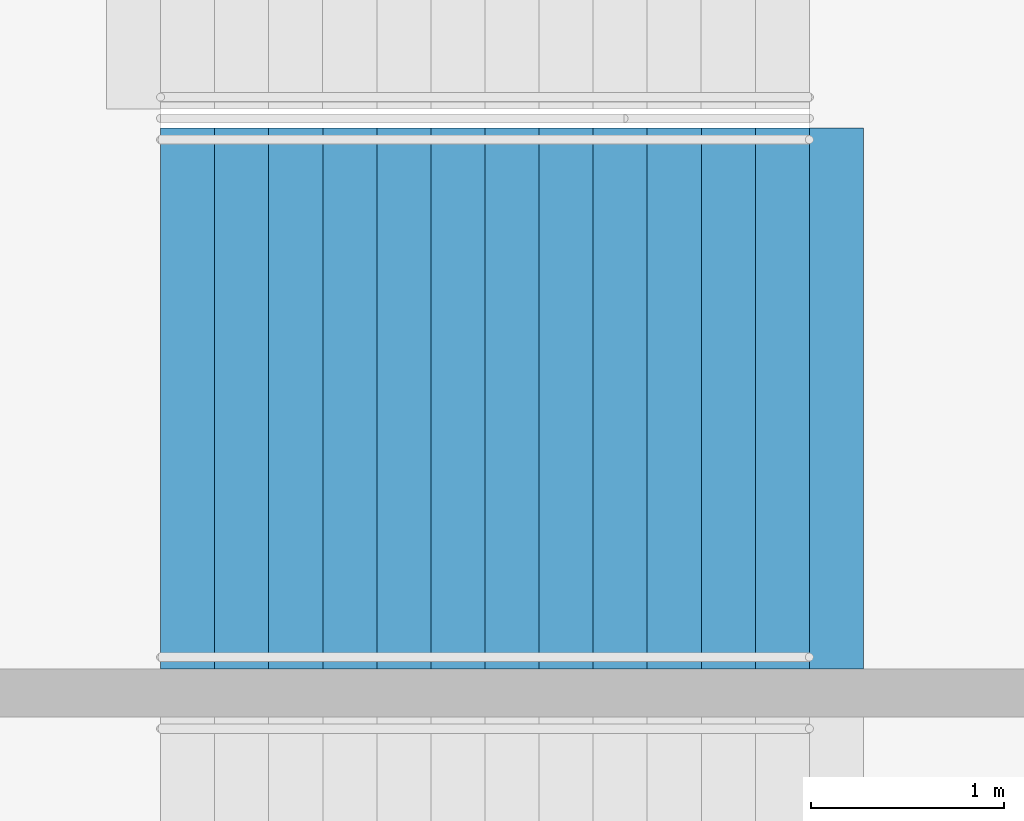
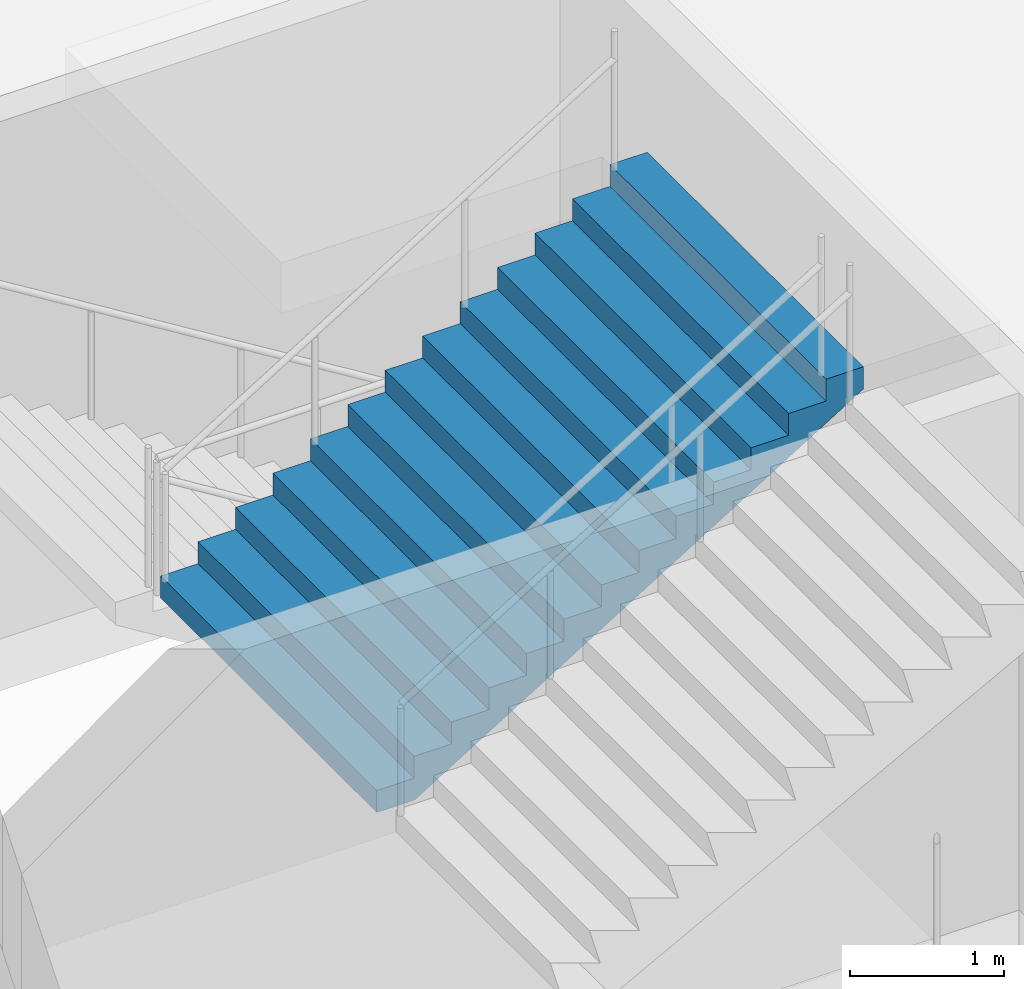
# One storey, part 76 of 175: 1 stair flight, 1 element without a shape of its own.
"""IFC4 building model written with IfcOpenShell, lengths in metres."""

import ifcopenshell
import ifcopenshell.guid

model = None  # the IFC model being written
_history = None  # IfcOwnerHistory: only IFC2X3 demands one
_inside = {}  # id of a spatial element -> (the spatial element, [elements in it])
_under = {}  # id of a project, library or spatial element -> (it, [spatial elements below it])
_declared = {}  # id of a project -> (the project, [libraries it declares])
_typed = {}  # id of a type object -> (the type object, [elements of that type])
_made_of = {}  # id of a material, layer set ... -> (it, [elements and type objects made of it])


def new_model(schema):
    """Start an empty IFC model of exactly this schema.

    Asked for "IFC4X3", IfcOpenShell would pick the latest addendum, in which some entities
    have other attributes; the version numbers below select the first issue.
    IFC2X3 requires an IfcOwnerHistory on every rooted entity: one is made here for all.
    """
    global model, _history
    if schema == "IFC4X3":
        model = ifcopenshell.file(schema_version=(4, 3, 0, 0))
    else:
        model = ifcopenshell.file(schema=schema)
    _inside.clear()
    _under.clear()
    _declared.clear()
    _typed.clear()
    _made_of.clear()
    _history = None
    if model.schema == "IFC2X3":
        org = make("IfcOrganization", Name="unknown")
        user = make(
            "IfcPersonAndOrganization",
            ThePerson=make("IfcPerson", FamilyName="unknown"),
            TheOrganization=org,
        )
        app = make(
            "IfcApplication",
            ApplicationDeveloper=org,
            Version="unknown",
            ApplicationFullName="unknown",
            ApplicationIdentifier="unknown",
        )
        _history = make(
            "IfcOwnerHistory",
            OwningUser=user,
            OwningApplication=app,
            ChangeAction="ADDED",
            CreationDate=0,
        )
    return model


def make(cls, **values):
    """One entity of the class cls with the attributes given. An attribute that is None is left unset."""
    return model.create_entity(
        cls, **{name: value for name, value in values.items() if value is not None}
    )


def rooted(cls, **values):
    """An entity with a GlobalId (a new one), such as an element, a storey or a relation."""
    return make(cls, GlobalId=ifcopenshell.guid.new(), OwnerHistory=_history, **values)


def si_unit(unit_type, name, prefix=None):
    """IfcSIUnit, for example si_unit("LENGTHUNIT", "METRE", prefix="MILLI")."""
    return make("IfcSIUnit", UnitType=unit_type, Prefix=prefix, Name=name)


def assignment(units):
    """IfcUnitAssignment: the units of a project."""
    return None if units is None else make("IfcUnitAssignment", Units=units)


def point(xyz):
    """IfcCartesianPoint."""
    return None if xyz is None else make("IfcCartesianPoint", Coordinates=xyz)


def direction(xyz):
    """IfcDirection."""
    return None if xyz is None else make("IfcDirection", DirectionRatios=xyz)


def frame(location, z_axis=None, x_axis=None):
    """IfcAxis2Placement3D, a coordinate frame: its origin and axes. An axis left out is left unset."""
    return make(
        "IfcAxis2Placement3D",
        Location=point(location),
        Axis=direction(z_axis),
        RefDirection=direction(x_axis),
    )


def origin():
    """The frame at (0, 0, 0) with its axes left unset."""
    return frame((0.0, 0.0, 0.0))


def place(relative_to, where):
    """IfcLocalPlacement: puts the frame where relative to a parent placement (None: the world)."""
    return make(
        "IfcLocalPlacement", PlacementRelTo=relative_to, RelativePlacement=where
    )


def context(
    kind, dimensions, precision=None, world=None, true_north=None, identifier=None
):
    """IfcGeometricRepresentationContext, for example the 3D "Model" context."""
    return make(
        "IfcGeometricRepresentationContext",
        ContextIdentifier=identifier,
        ContextType=kind,
        CoordinateSpaceDimension=dimensions,
        Precision=precision,
        WorldCoordinateSystem=world,
        TrueNorth=true_north,
    )


def subcontext(parent, identifier, kind, view, scale=None):
    """IfcGeometricRepresentationSubContext, for example "Body" below "Model"."""
    return make(
        "IfcGeometricRepresentationSubContext",
        ContextIdentifier=identifier,
        ContextType=kind,
        ParentContext=parent,
        TargetScale=scale,
        TargetView=view,
    )


def project(units=None, contexts=None):
    """IfcProject with its units and contexts."""
    return rooted(
        "IfcProject",
        Name="project",
        RepresentationContexts=contexts,
        UnitsInContext=assignment(units),
    )


def spatial(cls, under=None, at=None, **own):
    """A site, building, storey or space (cls), placed at a placement, below another one or the project."""
    s = rooted(cls, ObjectPlacement=at, **own)
    if under is not None:
        _under.setdefault(under.id(), (under, []))[1].append(s)
    return s


def faces_of(points, faces, orient=None, outer=None):
    """IfcFace entities. A face is a list of loops; a loop is a list of indices into points, from 0.

    orient and outer hold one flag for each loop. By default every Orientation is true, the
    first loop of a face is its IfcFaceOuterBound and the others are IfcFaceBound.
    """
    made = []
    for i, loops in enumerate(faces):
        bounds = []
        for j, loop in enumerate(loops):
            is_outer = j == 0 if outer is None else outer[i][j]
            bounds.append(
                make(
                    "IfcFaceOuterBound" if is_outer else "IfcFaceBound",
                    Bound=make("IfcPolyLoop", Polygon=[points[k] for k in loop]),
                    Orientation=True if orient is None else orient[i][j],
                )
            )
        made.append(make("IfcFace", Bounds=bounds))
    return made


def faceted_brep(points, faces, orient=None, outer=None, voids=None):
    """IfcFacetedBrep: a solid bounded by flat faces; with voids (closed shells), ...WithVoids."""
    shared = [point(p) for p in points]
    hull = make("IfcClosedShell", CfsFaces=faces_of(shared, faces, orient, outer))
    if voids is None:
        return make("IfcFacetedBrep", Outer=hull)
    return make(
        "IfcFacetedBrepWithVoids",
        Outer=hull,
        Voids=[
            make(cls, CfsFaces=faces_of(shared, fs, o, b)) for cls, fs, o, b in voids
        ],
    )


def shape(context_of_items, identifier, shape_type, items):
    """IfcShapeRepresentation: the items that make up one representation, for example the "Body"."""
    return make(
        "IfcShapeRepresentation",
        ContextOfItems=context_of_items,
        RepresentationIdentifier=identifier,
        RepresentationType=shape_type,
        Items=items,
    )


def material(Name=None, Category=None):
    """IfcMaterial."""
    return make("IfcMaterial", Name=Name, Category=Category)


def made_of(thing, what):
    """Note that an element or type object is made of a material, layer set ...; save() writes the relation."""
    if what is not None:
        _made_of.setdefault(what.id(), (what, []))[1].append(thing)
    return thing


def type_object(cls, material=None, **own):
    """A type object (cls), such as IfcWallType, which elements share."""
    return made_of(rooted(cls, **own), material)


def element(
    cls,
    number,
    at=None,
    inside=None,
    cuts=None,
    type_object=None,
    material=None,
    context=None,
    identifier="Body",
    shape_type=None,
    held_by="IfcProductDefinitionShape",
    body=None,
    shapes=None,
    **own,
):
    """One element of the class cls, such as IfcWall. Its Tag is "e" and its number.

    at: its placement. inside: the storey or other place that contains it. cuts: it is an
    opening in that element (IfcRelVoidsElement). A single representation is given by context,
    identifier, shape_type and body (its items); several are given by shapes. held_by: the class
    of the entity that holds the representations. save() writes the other relations.
    """
    e = rooted(cls, Tag="e%d" % number, ObjectPlacement=at, **own)
    if body is not None:
        shapes = [shape(context, identifier, shape_type, body)]
    if shapes is not None:
        e.Representation = make(held_by, Representations=shapes)
    if inside is not None:
        _inside.setdefault(inside.id(), (inside, []))[1].append(e)
    if cuts is not None:
        rooted(
            "IfcRelVoidsElement", RelatingBuildingElement=cuts, RelatedOpeningElement=e
        )
    if type_object is not None:
        _typed.setdefault(type_object.id(), (type_object, []))[1].append(e)
    return made_of(e, material)


def aggregate(whole, parts):
    """IfcRelAggregates: a whole, such as a stair, and the parts it consists of."""
    return rooted("IfcRelAggregates", RelatingObject=whole, RelatedObjects=parts)


def save(model, path):
    """Write the relations noted so far, then the file.

    IfcRelAggregates (storeys below a building ...), IfcRelContainedInSpatialStructure (elements
    in a storey), IfcRelDefinesByType, IfcRelAssociatesMaterial and IfcRelDeclares: one each for
    every whole, place, type object, material and project.
    """
    for whole, parts in _under.values():
        aggregate(whole, parts)
    for where, things in _inside.values():
        rooted(
            "IfcRelContainedInSpatialStructure",
            RelatedElements=things,
            RelatingStructure=where,
        )
    for kind, things in _typed.values():
        rooted("IfcRelDefinesByType", RelatedObjects=things, RelatingType=kind)
    for what, things in _made_of.values():
        rooted("IfcRelAssociatesMaterial", RelatedObjects=things, RelatingMaterial=what)
    for by, libraries in _declared.values():
        rooted("IfcRelDeclares", RelatingContext=by, RelatedDefinitions=libraries)
    model.write(path)


model = new_model("IFC4")

# Units and contexts
model_context = context("Model", 3, precision=1e-05, world=origin(), true_north=direction((0.0, 1.0)))
body_context = subcontext(model_context, "Body", "Model", "MODEL_VIEW")
ifc_project = project(units=[si_unit("LENGTHUNIT", "METRE"), si_unit("AREAUNIT", "SQUARE_METRE"), si_unit("VOLUMEUNIT", "CUBIC_METRE"), si_unit("PLANEANGLEUNIT", "RADIAN"), si_unit("MASSUNIT", "GRAM", prefix="KILO")], contexts=[model_context])

# Site, building, storey
site_placement = place(None, origin())
site = spatial("IfcSite", under=ifc_project, at=site_placement, CompositionType="ELEMENT")
building_placement = place(site_placement, origin())
building = spatial("IfcBuilding", under=site, at=building_placement, Name="Ogive Plaza Stadium", CompositionType="ELEMENT")
storey_placement = place(building_placement, origin())
storey = spatial("IfcBuildingStorey", under=building, at=storey_placement, Name="L00", CompositionType="ELEMENT", Elevation=0.0)

# Stair, stair flight
ifc_material_1 = material(Name="Concrete C40/50", Category="concrete")
stair_type = type_object("IfcStairType", Name="Exit stair", PredefinedType="STRAIGHT_RUN_STAIR", material=ifc_material_1)
stair_placement = place(storey_placement, origin())
stair = element("IfcStair", 1, at=stair_placement, inside=storey, type_object=stair_type, Name="Exit stair ST22A L00 to L01", PredefinedType="STRAIGHT_RUN_STAIR")
ifc_material_2 = material(Name="Concrete C40/50", Category="concrete")
stair_flight_type = type_object("IfcStairFlightType", Name="Exit stair flight", PredefinedType="STRAIGHT", material=ifc_material_2)
stair_flight_placement = place(storey_placement, frame((-79.7099609375, -35.97509765625, 2.25), z_axis=(0.0, 0.0, 1.0), x_axis=(1.0, 0.0, 0.0)))
stair_flight = element("IfcStairFlight", 2, at=stair_flight_placement, type_object=stair_flight_type, Name="ST22A flight 2", NumberOfRisers=13, NumberOfTreads=12, PredefinedType="STRAIGHT", RiserHeight=0.173076923, TreadLength=0.28, context=body_context, shape_type="Brep", body=[
    faceted_brep([(0.28515625, -1.39990234375, 0.0), (3.639892578125, -1.39990234375, 2.07373046875), (3.639892578125, -1.39990234375, 2.25), (3.360107421875, -1.39990234375, 2.25), (3.360107421875, -1.39990234375, 2.076904296875), (3.080078125, -1.39990234375, 2.076904296875), (3.080078125, -1.39990234375, 1.90380859375), (2.800048828125, -1.39990234375, 1.90380859375), (2.800048828125, -1.39990234375, 1.730712890625), (2.52001953125, -1.39990234375, 1.730712890625), (2.52001953125, -1.39990234375, 1.5576171875), (2.239990234375, -1.39990234375, 1.5576171875), (2.239990234375, -1.39990234375, 1.384521484375), (1.9599609375, -1.39990234375, 1.384521484375), (1.9599609375, -1.39990234375, 1.21142578125), (1.679931640625, -1.39990234375, 1.21142578125), (1.679931640625, -1.39990234375, 1.03857421875), (1.39990234375, -1.39990234375, 1.03857421875), (1.39990234375, -1.39990234375, 0.865478515625), (1.1201171875, -1.39990234375, 0.865478515625), (1.1201171875, -1.39990234375, 0.6923828125), (0.840087890625, -1.39990234375, 0.6923828125), (0.840087890625, -1.39990234375, 0.519287109375), (0.56005859375, -1.39990234375, 0.519287109375), (0.56005859375, -1.39990234375, 0.34619140625), (0.280029296875, -1.39990234375, 0.34619140625), (0.280029296875, -1.39990234375, 0.173095703125), (0.0, -1.39990234375, 0.173095703125), (0.0, -1.39990234375, 0.0), (0.0, 1.39990234375, 0.0), (0.0, 1.39990234375, 0.173095703125), (0.280029296875, 1.39990234375, 0.173095703125), (0.280029296875, 1.39990234375, 0.34619140625), (0.56005859375, 1.39990234375, 0.34619140625), (0.56005859375, 1.39990234375, 0.519287109375), (0.840087890625, 1.39990234375, 0.519287109375), (0.840087890625, 1.39990234375, 0.6923828125), (1.1201171875, 1.39990234375, 0.6923828125), (1.1201171875, 1.39990234375, 0.865478515625), (1.39990234375, 1.39990234375, 0.865478515625), (1.39990234375, 1.39990234375, 1.03857421875), (1.679931640625, 1.39990234375, 1.03857421875), (1.679931640625, 1.39990234375, 1.21142578125), (1.9599609375, 1.39990234375, 1.21142578125), (1.9599609375, 1.39990234375, 1.384521484375), (2.239990234375, 1.39990234375, 1.384521484375), (2.239990234375, 1.39990234375, 1.5576171875), (2.52001953125, 1.39990234375, 1.5576171875), (2.52001953125, 1.39990234375, 1.730712890625), (2.800048828125, 1.39990234375, 1.730712890625), (2.800048828125, 1.39990234375, 1.90380859375), (3.080078125, 1.39990234375, 1.90380859375), (3.080078125, 1.39990234375, 2.076904296875), (3.360107421875, 1.39990234375, 2.076904296875), (3.360107421875, 1.39990234375, 2.25), (3.639892578125, 1.39990234375, 2.25), (3.639892578125, 1.39990234375, 2.07373046875), (0.28515625, 1.39990234375, 0.0), (0.28515625, -1.0888671875, 0.0), (3.639892578125, -1.0888671875, 2.07373046875), (0.28515625, -0.77783203125, 0.0), (3.639892578125, -0.77783203125, 2.07373046875), (0.28515625, -0.466796875, 0.0), (3.639892578125, -0.466796875, 2.07373046875), (0.28515625, -0.155517578125, 0.0), (3.639892578125, -0.155517578125, 2.07373046875), (0.28515625, 0.155517578125, 0.0), (3.639892578125, 0.155517578125, 2.07373046875), (0.28515625, 0.466796875, 0.0), (3.639892578125, 0.466796875, 2.07373046875), (0.28515625, 0.77783203125, 0.0), (3.639892578125, 0.77783203125, 2.07373046875), (0.28515625, 1.0888671875, 0.0), (3.639892578125, 1.0888671875, 2.07373046875), (3.639892578125, -1.0888671875, 2.25), (3.639892578125, -0.77783203125, 2.25), (3.639892578125, -0.466796875, 2.25), (3.639892578125, -0.155517578125, 2.25), (3.639892578125, 0.155517578125, 2.25), (3.639892578125, 0.466796875, 2.25), (3.639892578125, 0.77783203125, 2.25), (3.639892578125, 1.0888671875, 2.25), (3.360107421875, -1.0888671875, 2.25), (3.360107421875, -0.77783203125, 2.25), (3.360107421875, -0.466796875, 2.25), (3.360107421875, -0.155517578125, 2.25), (3.360107421875, 0.155517578125, 2.25), (3.360107421875, 0.466796875, 2.25), (3.360107421875, 0.77783203125, 2.25), (3.360107421875, 1.0888671875, 2.25), (3.360107421875, -1.0888671875, 2.076904296875), (3.360107421875, -0.77783203125, 2.076904296875), (3.360107421875, -0.466796875, 2.076904296875), (3.360107421875, -0.155517578125, 2.076904296875), (3.360107421875, 0.155517578125, 2.076904296875), (3.360107421875, 0.466796875, 2.076904296875), (3.360107421875, 0.77783203125, 2.076904296875), (3.360107421875, 1.0888671875, 2.076904296875), (3.080078125, -1.0888671875, 2.076904296875), (3.080078125, -0.77783203125, 2.076904296875), (3.080078125, -0.466796875, 2.076904296875), (3.080078125, -0.155517578125, 2.076904296875), (3.080078125, 0.155517578125, 2.076904296875), (3.080078125, 0.466796875, 2.076904296875), (3.080078125, 0.77783203125, 2.076904296875), (3.080078125, 1.0888671875, 2.076904296875), (3.080078125, -1.0888671875, 1.90380859375), (3.080078125, -0.77783203125, 1.90380859375), (3.080078125, -0.466796875, 1.90380859375), (3.080078125, -0.155517578125, 1.90380859375), (3.080078125, 0.155517578125, 1.90380859375), (3.080078125, 0.466796875, 1.90380859375), (3.080078125, 0.77783203125, 1.90380859375), (3.080078125, 1.0888671875, 1.90380859375), (2.800048828125, -1.0888671875, 1.90380859375), (2.800048828125, -0.77783203125, 1.90380859375), (2.800048828125, -0.466796875, 1.90380859375), (2.800048828125, -0.155517578125, 1.90380859375), (2.800048828125, 0.155517578125, 1.90380859375), (2.800048828125, 0.466796875, 1.90380859375), (2.800048828125, 0.77783203125, 1.90380859375), (2.800048828125, 1.0888671875, 1.90380859375), (2.800048828125, -1.0888671875, 1.730712890625), (2.800048828125, -0.77783203125, 1.730712890625), (2.800048828125, -0.466796875, 1.730712890625), (2.800048828125, -0.155517578125, 1.730712890625), (2.800048828125, 0.155517578125, 1.730712890625), (2.800048828125, 0.466796875, 1.730712890625), (2.800048828125, 0.77783203125, 1.730712890625), (2.800048828125, 1.0888671875, 1.730712890625), (2.52001953125, -1.0888671875, 1.730712890625), (2.52001953125, -0.77783203125, 1.730712890625), (2.52001953125, -0.466796875, 1.730712890625), (2.52001953125, -0.155517578125, 1.730712890625), (2.52001953125, 0.155517578125, 1.730712890625), (2.52001953125, 0.466796875, 1.730712890625), (2.52001953125, 0.77783203125, 1.730712890625), (2.52001953125, 1.0888671875, 1.730712890625), (2.52001953125, -1.0888671875, 1.5576171875), (2.52001953125, -0.77783203125, 1.5576171875), (2.52001953125, -0.466796875, 1.5576171875), (2.52001953125, -0.155517578125, 1.5576171875), (2.52001953125, 0.155517578125, 1.5576171875), (2.52001953125, 0.466796875, 1.5576171875), (2.52001953125, 0.77783203125, 1.5576171875), (2.52001953125, 1.0888671875, 1.5576171875), (2.239990234375, -1.0888671875, 1.5576171875), (2.239990234375, -0.77783203125, 1.5576171875), (2.239990234375, -0.466796875, 1.5576171875), (2.239990234375, -0.155517578125, 1.5576171875), (2.239990234375, 0.155517578125, 1.5576171875), (2.239990234375, 0.466796875, 1.5576171875), (2.239990234375, 0.77783203125, 1.5576171875), (2.239990234375, 1.0888671875, 1.5576171875), (2.239990234375, -1.0888671875, 1.384521484375), (2.239990234375, -0.77783203125, 1.384521484375), (2.239990234375, -0.466796875, 1.384521484375), (2.239990234375, -0.155517578125, 1.384521484375), (2.239990234375, 0.155517578125, 1.384521484375), (2.239990234375, 0.466796875, 1.384521484375), (2.239990234375, 0.77783203125, 1.384521484375), (2.239990234375, 1.0888671875, 1.384521484375), (1.9599609375, -1.0888671875, 1.384521484375), (1.9599609375, -0.77783203125, 1.384521484375), (1.9599609375, -0.466796875, 1.384521484375), (1.9599609375, -0.155517578125, 1.384521484375), (1.9599609375, 0.155517578125, 1.384521484375), (1.9599609375, 0.466796875, 1.384521484375), (1.9599609375, 0.77783203125, 1.384521484375), (1.9599609375, 1.0888671875, 1.384521484375), (1.9599609375, -1.0888671875, 1.21142578125), (1.9599609375, -0.77783203125, 1.21142578125), (1.9599609375, -0.466796875, 1.21142578125), (1.9599609375, -0.155517578125, 1.21142578125), (1.9599609375, 0.155517578125, 1.21142578125), (1.9599609375, 0.466796875, 1.21142578125), (1.9599609375, 0.77783203125, 1.21142578125), (1.9599609375, 1.0888671875, 1.21142578125), (1.679931640625, -1.0888671875, 1.21142578125), (1.679931640625, -0.77783203125, 1.21142578125), (1.679931640625, -0.466796875, 1.21142578125), (1.679931640625, -0.155517578125, 1.21142578125), (1.679931640625, 0.155517578125, 1.21142578125), (1.679931640625, 0.466796875, 1.21142578125), (1.679931640625, 0.77783203125, 1.21142578125), (1.679931640625, 1.0888671875, 1.21142578125), (1.679931640625, -1.0888671875, 1.03857421875), (1.679931640625, -0.77783203125, 1.03857421875), (1.679931640625, -0.466796875, 1.03857421875), (1.679931640625, -0.155517578125, 1.03857421875), (1.679931640625, 0.155517578125, 1.03857421875), (1.679931640625, 0.466796875, 1.03857421875), (1.679931640625, 0.77783203125, 1.03857421875), (1.679931640625, 1.0888671875, 1.03857421875), (1.39990234375, -1.0888671875, 1.03857421875), (1.39990234375, -0.77783203125, 1.03857421875), (1.39990234375, -0.466796875, 1.03857421875), (1.39990234375, -0.155517578125, 1.03857421875), (1.39990234375, 0.155517578125, 1.03857421875), (1.39990234375, 0.466796875, 1.03857421875), (1.39990234375, 0.77783203125, 1.03857421875), (1.39990234375, 1.0888671875, 1.03857421875), (1.39990234375, -1.0888671875, 0.865478515625), (1.39990234375, -0.77783203125, 0.865478515625), (1.39990234375, -0.466796875, 0.865478515625), (1.39990234375, -0.155517578125, 0.865478515625), (1.39990234375, 0.155517578125, 0.865478515625), (1.39990234375, 0.466796875, 0.865478515625), (1.39990234375, 0.77783203125, 0.865478515625), (1.39990234375, 1.0888671875, 0.865478515625), (1.1201171875, -1.0888671875, 0.865478515625), (1.1201171875, -0.77783203125, 0.865478515625), (1.1201171875, -0.466796875, 0.865478515625), (1.1201171875, -0.155517578125, 0.865478515625), (1.1201171875, 0.155517578125, 0.865478515625), (1.1201171875, 0.466796875, 0.865478515625), (1.1201171875, 0.77783203125, 0.865478515625), (1.1201171875, 1.0888671875, 0.865478515625), (1.1201171875, -1.0888671875, 0.6923828125), (1.1201171875, -0.77783203125, 0.6923828125), (1.1201171875, -0.466796875, 0.6923828125), (1.1201171875, -0.155517578125, 0.6923828125), (1.1201171875, 0.155517578125, 0.6923828125), (1.1201171875, 0.466796875, 0.6923828125), (1.1201171875, 0.77783203125, 0.6923828125), (1.1201171875, 1.0888671875, 0.6923828125), (0.840087890625, -1.0888671875, 0.6923828125), (0.840087890625, -0.77783203125, 0.6923828125), (0.840087890625, -0.466796875, 0.6923828125), (0.840087890625, -0.155517578125, 0.6923828125), (0.840087890625, 0.155517578125, 0.6923828125), (0.840087890625, 0.466796875, 0.6923828125), (0.840087890625, 0.77783203125, 0.6923828125), (0.840087890625, 1.0888671875, 0.6923828125), (0.840087890625, -1.0888671875, 0.519287109375), (0.840087890625, -0.77783203125, 0.519287109375), (0.840087890625, -0.466796875, 0.519287109375), (0.840087890625, -0.155517578125, 0.519287109375), (0.840087890625, 0.155517578125, 0.519287109375), (0.840087890625, 0.466796875, 0.519287109375), (0.840087890625, 0.77783203125, 0.519287109375), (0.840087890625, 1.0888671875, 0.519287109375), (0.56005859375, -1.0888671875, 0.519287109375), (0.56005859375, -0.77783203125, 0.519287109375), (0.56005859375, -0.466796875, 0.519287109375), (0.56005859375, -0.155517578125, 0.519287109375), (0.56005859375, 0.155517578125, 0.519287109375), (0.56005859375, 0.466796875, 0.519287109375), (0.56005859375, 0.77783203125, 0.519287109375), (0.56005859375, 1.0888671875, 0.519287109375), (0.56005859375, -1.0888671875, 0.34619140625), (0.56005859375, -0.77783203125, 0.34619140625), (0.56005859375, -0.466796875, 0.34619140625), (0.56005859375, -0.155517578125, 0.34619140625), (0.56005859375, 0.155517578125, 0.34619140625), (0.56005859375, 0.466796875, 0.34619140625), (0.56005859375, 0.77783203125, 0.34619140625), (0.56005859375, 1.0888671875, 0.34619140625), (0.280029296875, -1.0888671875, 0.34619140625), (0.280029296875, -0.77783203125, 0.34619140625), (0.280029296875, -0.466796875, 0.34619140625), (0.280029296875, -0.155517578125, 0.34619140625), (0.280029296875, 0.155517578125, 0.34619140625), (0.280029296875, 0.466796875, 0.34619140625), (0.280029296875, 0.77783203125, 0.34619140625), (0.280029296875, 1.0888671875, 0.34619140625), (0.280029296875, -1.0888671875, 0.173095703125), (0.280029296875, -0.77783203125, 0.173095703125), (0.280029296875, -0.466796875, 0.173095703125), (0.280029296875, -0.155517578125, 0.173095703125), (0.280029296875, 0.155517578125, 0.173095703125), (0.280029296875, 0.466796875, 0.173095703125), (0.280029296875, 0.77783203125, 0.173095703125), (0.280029296875, 1.0888671875, 0.173095703125), (0.0, -1.0888671875, 0.173095703125), (0.0, -0.77783203125, 0.173095703125), (0.0, -0.466796875, 0.173095703125), (0.0, -0.155517578125, 0.173095703125), (0.0, 0.155517578125, 0.173095703125), (0.0, 0.466796875, 0.173095703125), (0.0, 0.77783203125, 0.173095703125), (0.0, 1.0888671875, 0.173095703125), (0.0, -1.0888671875, 0.0), (0.0, -0.77783203125, 0.0), (0.0, -0.466796875, 0.0), (0.0, -0.155517578125, 0.0), (0.0, 0.155517578125, 0.0), (0.0, 0.466796875, 0.0), (0.0, 0.77783203125, 0.0), (0.0, 1.0888671875, 0.0)], [[[0, 1, 2, 3, 4, 5, 6, 7, 8, 9, 10, 11, 12, 13, 14, 15, 16, 17, 18, 19, 20, 21, 22, 23, 24, 25, 26, 27, 28]], [[29, 30, 31, 32, 33, 34, 35, 36, 37, 38, 39, 40, 41, 42, 43, 44, 45, 46, 47, 48, 49, 50, 51, 52, 53, 54, 55, 56, 57]], [[0, 58, 59, 1]], [[58, 60, 61, 59]], [[60, 62, 63, 61]], [[62, 64, 65, 63]], [[64, 66, 67, 65]], [[66, 68, 69, 67]], [[68, 70, 71, 69]], [[70, 72, 73, 71]], [[72, 57, 56, 73]], [[1, 59, 74, 2]], [[59, 61, 75, 74]], [[61, 63, 76, 75]], [[63, 65, 77, 76]], [[65, 67, 78, 77]], [[67, 69, 79, 78]], [[69, 71, 80, 79]], [[71, 73, 81, 80]], [[73, 56, 55, 81]], [[2, 74, 82, 3]], [[74, 75, 83, 82]], [[75, 76, 84, 83]], [[76, 77, 85, 84]], [[77, 78, 86, 85]], [[78, 79, 87, 86]], [[79, 80, 88, 87]], [[80, 81, 89, 88]], [[81, 55, 54, 89]], [[3, 82, 90, 4]], [[82, 83, 91, 90]], [[83, 84, 92, 91]], [[84, 85, 93, 92]], [[85, 86, 94, 93]], [[86, 87, 95, 94]], [[87, 88, 96, 95]], [[88, 89, 97, 96]], [[89, 54, 53, 97]], [[4, 90, 98, 5]], [[90, 91, 99, 98]], [[91, 92, 100, 99]], [[92, 93, 101, 100]], [[93, 94, 102, 101]], [[94, 95, 103, 102]], [[95, 96, 104, 103]], [[96, 97, 105, 104]], [[97, 53, 52, 105]], [[5, 98, 106, 6]], [[98, 99, 107, 106]], [[99, 100, 108, 107]], [[100, 101, 109, 108]], [[101, 102, 110, 109]], [[102, 103, 111, 110]], [[103, 104, 112, 111]], [[104, 105, 113, 112]], [[105, 52, 51, 113]], [[6, 106, 114, 7]], [[106, 107, 115, 114]], [[107, 108, 116, 115]], [[108, 109, 117, 116]], [[109, 110, 118, 117]], [[110, 111, 119, 118]], [[111, 112, 120, 119]], [[112, 113, 121, 120]], [[113, 51, 50, 121]], [[7, 114, 122, 8]], [[114, 115, 123, 122]], [[115, 116, 124, 123]], [[116, 117, 125, 124]], [[117, 118, 126, 125]], [[118, 119, 127, 126]], [[119, 120, 128, 127]], [[120, 121, 129, 128]], [[121, 50, 49, 129]], [[8, 122, 130, 9]], [[122, 123, 131, 130]], [[123, 124, 132, 131]], [[124, 125, 133, 132]], [[125, 126, 134, 133]], [[126, 127, 135, 134]], [[127, 128, 136, 135]], [[128, 129, 137, 136]], [[129, 49, 48, 137]], [[9, 130, 138, 10]], [[130, 131, 139, 138]], [[131, 132, 140, 139]], [[132, 133, 141, 140]], [[133, 134, 142, 141]], [[134, 135, 143, 142]], [[135, 136, 144, 143]], [[136, 137, 145, 144]], [[137, 48, 47, 145]], [[10, 138, 146, 11]], [[138, 139, 147, 146]], [[139, 140, 148, 147]], [[140, 141, 149, 148]], [[141, 142, 150, 149]], [[142, 143, 151, 150]], [[143, 144, 152, 151]], [[144, 145, 153, 152]], [[145, 47, 46, 153]], [[11, 146, 154, 12]], [[146, 147, 155, 154]], [[147, 148, 156, 155]], [[148, 149, 157, 156]], [[149, 150, 158, 157]], [[150, 151, 159, 158]], [[151, 152, 160, 159]], [[152, 153, 161, 160]], [[153, 46, 45, 161]], [[12, 154, 162, 13]], [[154, 155, 163, 162]], [[155, 156, 164, 163]], [[156, 157, 165, 164]], [[157, 158, 166, 165]], [[158, 159, 167, 166]], [[159, 160, 168, 167]], [[160, 161, 169, 168]], [[161, 45, 44, 169]], [[13, 162, 170, 14]], [[162, 163, 171, 170]], [[163, 164, 172, 171]], [[164, 165, 173, 172]], [[165, 166, 174, 173]], [[166, 167, 175, 174]], [[167, 168, 176, 175]], [[168, 169, 177, 176]], [[169, 44, 43, 177]], [[14, 170, 178, 15]], [[170, 171, 179, 178]], [[171, 172, 180, 179]], [[172, 173, 181, 180]], [[173, 174, 182, 181]], [[174, 175, 183, 182]], [[175, 176, 184, 183]], [[176, 177, 185, 184]], [[177, 43, 42, 185]], [[15, 178, 186, 16]], [[178, 179, 187, 186]], [[179, 180, 188, 187]], [[180, 181, 189, 188]], [[181, 182, 190, 189]], [[182, 183, 191, 190]], [[183, 184, 192, 191]], [[184, 185, 193, 192]], [[185, 42, 41, 193]], [[16, 186, 194, 17]], [[186, 187, 195, 194]], [[187, 188, 196, 195]], [[188, 189, 197, 196]], [[189, 190, 198, 197]], [[190, 191, 199, 198]], [[191, 192, 200, 199]], [[192, 193, 201, 200]], [[193, 41, 40, 201]], [[17, 194, 202, 18]], [[194, 195, 203, 202]], [[195, 196, 204, 203]], [[196, 197, 205, 204]], [[197, 198, 206, 205]], [[198, 199, 207, 206]], [[199, 200, 208, 207]], [[200, 201, 209, 208]], [[201, 40, 39, 209]], [[18, 202, 210, 19]], [[202, 203, 211, 210]], [[203, 204, 212, 211]], [[204, 205, 213, 212]], [[205, 206, 214, 213]], [[206, 207, 215, 214]], [[207, 208, 216, 215]], [[208, 209, 217, 216]], [[209, 39, 38, 217]], [[19, 210, 218, 20]], [[210, 211, 219, 218]], [[211, 212, 220, 219]], [[212, 213, 221, 220]], [[213, 214, 222, 221]], [[214, 215, 223, 222]], [[215, 216, 224, 223]], [[216, 217, 225, 224]], [[217, 38, 37, 225]], [[20, 218, 226, 21]], [[218, 219, 227, 226]], [[219, 220, 228, 227]], [[220, 221, 229, 228]], [[221, 222, 230, 229]], [[222, 223, 231, 230]], [[223, 224, 232, 231]], [[224, 225, 233, 232]], [[225, 37, 36, 233]], [[21, 226, 234, 22]], [[226, 227, 235, 234]], [[227, 228, 236, 235]], [[228, 229, 237, 236]], [[229, 230, 238, 237]], [[230, 231, 239, 238]], [[231, 232, 240, 239]], [[232, 233, 241, 240]], [[233, 36, 35, 241]], [[22, 234, 242, 23]], [[234, 235, 243, 242]], [[235, 236, 244, 243]], [[236, 237, 245, 244]], [[237, 238, 246, 245]], [[238, 239, 247, 246]], [[239, 240, 248, 247]], [[240, 241, 249, 248]], [[241, 35, 34, 249]], [[23, 242, 250, 24]], [[242, 243, 251, 250]], [[243, 244, 252, 251]], [[244, 245, 253, 252]], [[245, 246, 254, 253]], [[246, 247, 255, 254]], [[247, 248, 256, 255]], [[248, 249, 257, 256]], [[249, 34, 33, 257]], [[24, 250, 258, 25]], [[250, 251, 259, 258]], [[251, 252, 260, 259]], [[252, 253, 261, 260]], [[253, 254, 262, 261]], [[254, 255, 263, 262]], [[255, 256, 264, 263]], [[256, 257, 265, 264]], [[257, 33, 32, 265]], [[25, 258, 266, 26]], [[258, 259, 267, 266]], [[259, 260, 268, 267]], [[260, 261, 269, 268]], [[261, 262, 270, 269]], [[262, 263, 271, 270]], [[263, 264, 272, 271]], [[264, 265, 273, 272]], [[265, 32, 31, 273]], [[26, 266, 274, 27]], [[266, 267, 275, 274]], [[267, 268, 276, 275]], [[268, 269, 277, 276]], [[269, 270, 278, 277]], [[270, 271, 279, 278]], [[271, 272, 280, 279]], [[272, 273, 281, 280]], [[273, 31, 30, 281]], [[27, 274, 282, 28]], [[274, 275, 283, 282]], [[275, 276, 284, 283]], [[276, 277, 285, 284]], [[277, 278, 286, 285]], [[278, 279, 287, 286]], [[279, 280, 288, 287]], [[280, 281, 289, 288]], [[281, 30, 29, 289]], [[28, 282, 58, 0]], [[282, 283, 60, 58]], [[283, 284, 62, 60]], [[284, 285, 64, 62]], [[285, 286, 66, 64]], [[286, 287, 68, 66]], [[287, 288, 70, 68]], [[288, 289, 72, 70]], [[289, 29, 57, 72]]]),
])
aggregate(stair, [stair_flight])

save(model, "model.ifc")
